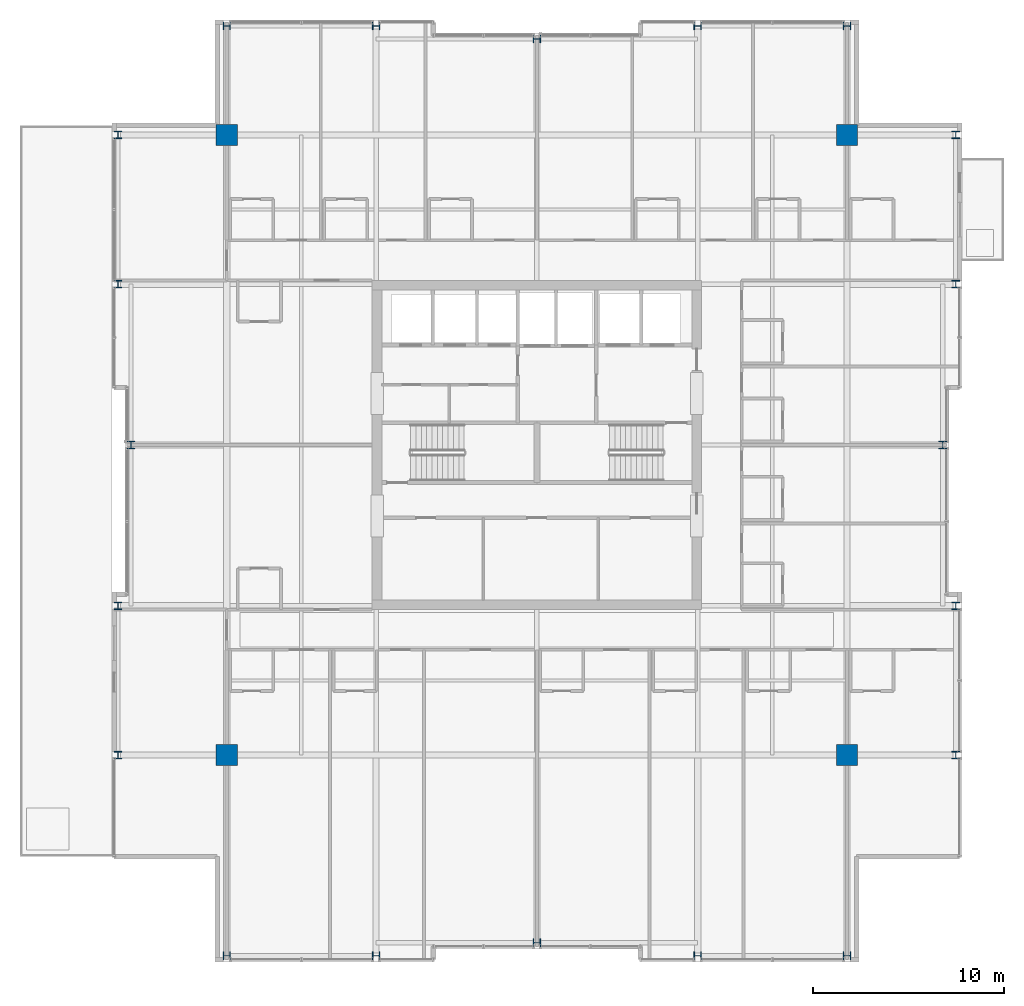
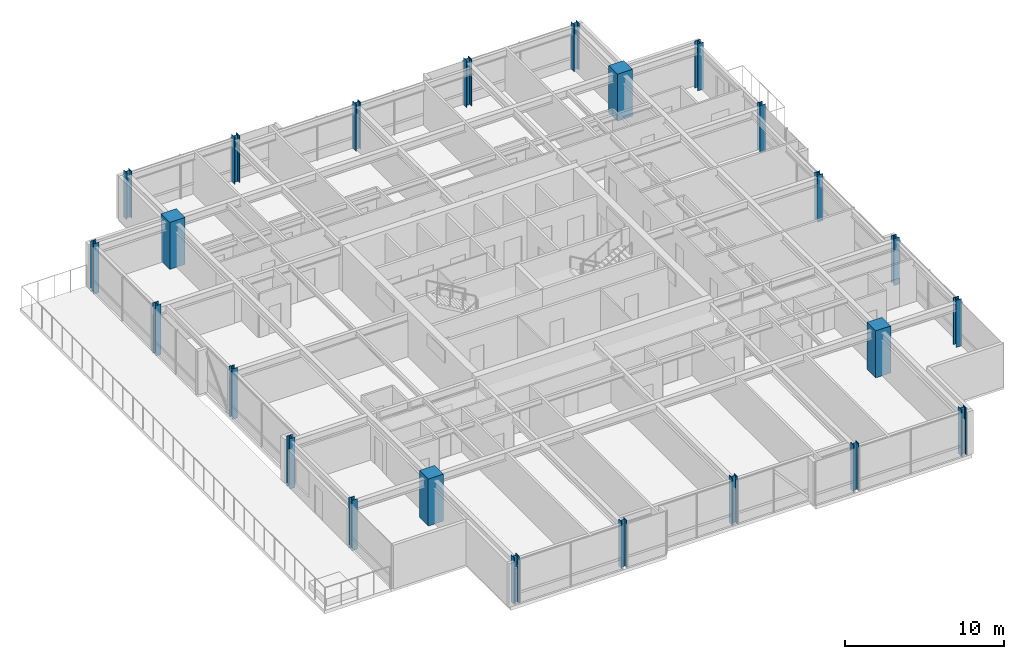
# One storey, part 1 of 32: 24 columns.
"""IFC4 building model written with IfcOpenShell, lengths in metres."""

from ifc_helpers import new_model, si_unit, direction, frame, origin, origin_2d, place, context, subcontext, project, spatial, rectangle, i_section, extrude, material, material_profile, profile_set, type_object, element, save


model = new_model("IFC4")

# Units and contexts
model_context = context("Model", 3, precision=1e-05, world=origin(), true_north=direction((0.0, 1.0)))
body_context = subcontext(model_context, "Body", "Model", "MODEL_VIEW")
ifc_project = project(units=[si_unit("LENGTHUNIT", "METRE"), si_unit("AREAUNIT", "SQUARE_METRE"), si_unit("VOLUMEUNIT", "CUBIC_METRE"), si_unit("PLANEANGLEUNIT", "RADIAN"), si_unit("MASSUNIT", "GRAM", prefix="KILO")], contexts=[model_context])

# Site, building, storey
site_placement = place(None, origin())
site = spatial("IfcSite", under=ifc_project, at=site_placement, CompositionType="ELEMENT")
building_placement = place(site_placement, origin())
building = spatial("IfcBuilding", under=site, at=building_placement, Name="Drelvath Grand Hotel", CompositionType="ELEMENT")
storey_placement = place(building_placement, frame((0.0, 0.0, 205.10009765625)))
storey = spatial("IfcBuildingStorey", under=building, at=storey_placement, Name="L53", CompositionType="ELEMENT", Elevation=205.10009765625)

# Columns
ifc_material_1 = material(Name="Concrete f'c 55 MPa", Category="concrete")
ifc_material_profile_1 = material_profile(ifc_material_1, rectangle(XDim=1.10009765625, YDim=1.10009765625, at=origin_2d()), Name="MC1100X1100")
ifc_profile_set_1 = profile_set([ifc_material_profile_1], Name="Concrete f'c 55 MPa")
column_type_1 = type_object("IfcColumnType", Name="Composite Mega Column MC1100X1100", PredefinedType="COLUMN", material=ifc_profile_set_1)
for number, where, z_axis, x_axis, name in (
    (1, (-16.199951171875, 10.800048828125, 0.0), (0.0, 0.0, 1.0), (1.0, 0.0, 0.0), "L53 Composite Mega Column MC-SW"),
    (2, (16.199951171875, 10.800048828125, 0.0), (0.0, 0.0, 1.0), (1.0, 0.0, 0.0), "L53 Composite Mega Column MC-SE"),
    (3, (-16.199951171875, 43.199951171875, 0.0), (0.0, 0.0, 1.0), (1.0, 0.0, 0.0), "L53 Composite Mega Column MC-NW"),
    (4, (16.199951171875, 43.199951171875, 0.0), (0.0, 0.0, 1.0), (1.0, 0.0, 0.0), "L53 Composite Mega Column MC-NE"),
):
    element("IfcColumn", number, at=place(storey_placement, frame(where, z_axis=z_axis, x_axis=x_axis)), inside=storey, type_object=column_type_1, Name=name, PredefinedType="COLUMN", context=body_context, shape_type="SweptSolid", body=[
        extrude(rectangle(XDim=1.10009765625, YDim=1.10009765625, at=origin_2d()), origin(), (0.0, 0.0, 1.0), 3.599853515625),
    ])
ifc_material_2 = material(Name="Steel ASTM A913 Gr 65", Category="steel")
ifc_material_profile_2 = material_profile(ifc_material_2, i_section(OverallWidth=0.3974609375, OverallDepth=0.38671875, WebThickness=0.02099609375, FlangeThickness=0.033203125, FilletRadius=0.02490234375, at=origin_2d()), Name="W14X176")
ifc_profile_set_2 = profile_set([ifc_material_profile_2], Name="Steel ASTM A913 Gr 65")
column_type_2 = type_object("IfcColumnType", Name="Perimeter Steel Column W14X176", PredefinedType="COLUMN", material=ifc_profile_set_2)
column_1_placement = place(storey_placement, frame((-21.8798828125, 10.800048828125, -0.260009765625), z_axis=(0.0, 0.0, 1.0), x_axis=(1.0, 0.0, 0.0)))
element("IfcColumn", 5, at=column_1_placement, inside=storey, type_object=column_type_2, Name="L53 Structural Column TCW-C", PredefinedType="COLUMN", context=body_context, shape_type="SweptSolid", body=[
    extrude(i_section(OverallWidth=0.3974609375, OverallDepth=0.38671875, WebThickness=0.02099609375, FlangeThickness=0.033203125, FilletRadius=0.02490234375, at=origin_2d()), origin(), (0.0, 0.0, 1.0), 3.85693359375),
])
column_2_placement = place(storey_placement, frame((21.8798828125, 10.800048828125, 0.0), z_axis=(0.0, 0.0, 1.0), x_axis=(1.0, 0.0, 0.0)))
element("IfcColumn", 6, at=column_2_placement, inside=storey, type_object=column_type_2, Name="L53 Structural Column TCE-C", PredefinedType="COLUMN", context=body_context, shape_type="SweptSolid", body=[
    extrude(i_section(OverallWidth=0.3974609375, OverallDepth=0.38671875, WebThickness=0.02099609375, FlangeThickness=0.033203125, FilletRadius=0.02490234375, at=origin_2d()), origin(), (0.0, 0.0, 1.0), 3.596923828125),
])
column_3_placement = place(storey_placement, frame((-21.8798828125, 18.60009765625, -0.260009765625), z_axis=(0.0, 0.0, 1.0), x_axis=(1.0, 0.0, 0.0)))
element("IfcColumn", 7, at=column_3_placement, inside=storey, type_object=column_type_2, Name="L53 Structural Column TCW-D", PredefinedType="COLUMN", context=body_context, shape_type="SweptSolid", body=[
    extrude(i_section(OverallWidth=0.3974609375, OverallDepth=0.38671875, WebThickness=0.02099609375, FlangeThickness=0.033203125, FilletRadius=0.02490234375, at=origin_2d()), origin(), (0.0, 0.0, 1.0), 3.85693359375),
])
column_4_placement = place(storey_placement, frame((21.8798828125, 18.60009765625, 0.0), z_axis=(0.0, 0.0, 1.0), x_axis=(1.0, 0.0, 0.0)))
element("IfcColumn", 8, at=column_4_placement, inside=storey, type_object=column_type_2, Name="L53 Structural Column TCE-D", PredefinedType="COLUMN", context=body_context, shape_type="SweptSolid", body=[
    extrude(i_section(OverallWidth=0.3974609375, OverallDepth=0.38671875, WebThickness=0.02099609375, FlangeThickness=0.033203125, FilletRadius=0.02490234375, at=origin_2d()), origin(), (0.0, 0.0, 1.0), 3.596923828125),
])
column_5_placement = place(storey_placement, frame((-21.199951171875, 27.0, -0.260009765625), z_axis=(0.0, 0.0, 1.0), x_axis=(1.0, 0.0, 0.0)))
element("IfcColumn", 9, at=column_5_placement, inside=storey, type_object=column_type_2, Name="L53 Structural Column TCW-E", PredefinedType="COLUMN", context=body_context, shape_type="SweptSolid", body=[
    extrude(i_section(OverallWidth=0.3974609375, OverallDepth=0.38671875, WebThickness=0.02099609375, FlangeThickness=0.033203125, FilletRadius=0.02490234375, at=origin_2d()), origin(), (0.0, 0.0, 1.0), 3.85693359375),
])
column_6_placement = place(storey_placement, frame((21.199951171875, 27.0, 0.0), z_axis=(0.0, 0.0, 1.0), x_axis=(1.0, 0.0, 0.0)))
element("IfcColumn", 10, at=column_6_placement, inside=storey, type_object=column_type_2, Name="L53 Structural Column TCE-E", PredefinedType="COLUMN", context=body_context, shape_type="SweptSolid", body=[
    extrude(i_section(OverallWidth=0.3974609375, OverallDepth=0.38671875, WebThickness=0.02099609375, FlangeThickness=0.033203125, FilletRadius=0.02490234375, at=origin_2d()), origin(), (0.0, 0.0, 1.0), 3.596923828125),
])
column_7_placement = place(storey_placement, frame((-21.8798828125, 35.39990234375, -0.260009765625), z_axis=(0.0, 0.0, 1.0), x_axis=(1.0, 0.0, 0.0)))
element("IfcColumn", 11, at=column_7_placement, inside=storey, type_object=column_type_2, Name="L53 Structural Column TCW-F", PredefinedType="COLUMN", context=body_context, shape_type="SweptSolid", body=[
    extrude(i_section(OverallWidth=0.3974609375, OverallDepth=0.38671875, WebThickness=0.02099609375, FlangeThickness=0.033203125, FilletRadius=0.02490234375, at=origin_2d()), origin(), (0.0, 0.0, 1.0), 3.85693359375),
])
column_8_placement = place(storey_placement, frame((21.8798828125, 35.39990234375, 0.0), z_axis=(0.0, 0.0, 1.0), x_axis=(1.0, 0.0, 0.0)))
element("IfcColumn", 12, at=column_8_placement, inside=storey, type_object=column_type_2, Name="L53 Structural Column TCE-F", PredefinedType="COLUMN", context=body_context, shape_type="SweptSolid", body=[
    extrude(i_section(OverallWidth=0.3974609375, OverallDepth=0.38671875, WebThickness=0.02099609375, FlangeThickness=0.033203125, FilletRadius=0.02490234375, at=origin_2d()), origin(), (0.0, 0.0, 1.0), 3.596923828125),
])
column_9_placement = place(storey_placement, frame((-21.8798828125, 43.199951171875, -0.260009765625), z_axis=(0.0, 0.0, 1.0), x_axis=(1.0, 0.0, 0.0)))
element("IfcColumn", 13, at=column_9_placement, inside=storey, type_object=column_type_2, Name="L53 Structural Column TCW-G", PredefinedType="COLUMN", context=body_context, shape_type="SweptSolid", body=[
    extrude(i_section(OverallWidth=0.3974609375, OverallDepth=0.38671875, WebThickness=0.02099609375, FlangeThickness=0.033203125, FilletRadius=0.02490234375, at=origin_2d()), origin(), (0.0, 0.0, 1.0), 3.85693359375),
])
for number, where, z_axis, x_axis, name in (
    (14, (21.8798828125, 43.199951171875, 0.0), (0.0, 0.0, 1.0), (1.0, 0.0, 0.0), "L53 Structural Column TCE-G"),
    (15, (-16.199951171875, 0.320068359375, 0.0), (0.0, 0.0, 1.0), (0.0, 1.0, 0.0), "L53 Structural Column TCS-3"),
    (16, (-16.199951171875, 48.8798828125, 0.0), (0.0, 0.0, 1.0), (0.0, 1.0, 0.0), "L53 Structural Column TCN-3"),
    (17, (-8.39990234375, 0.320068359375, 0.0), (0.0, 0.0, 1.0), (0.0, 1.0, 0.0), "L53 Structural Column TCS-4"),
    (18, (-8.39990234375, 48.8798828125, 0.0), (0.0, 0.0, 1.0), (0.0, 1.0, 0.0), "L53 Structural Column TCN-4"),
    (19, (0.0, 1.0, 0.0), (0.0, 0.0, 1.0), (0.0, 1.0, 0.0), "L53 Structural Column TCS-5"),
    (20, (0.0, 48.199951171875, 0.0), (0.0, 0.0, 1.0), (0.0, 1.0, 0.0), "L53 Structural Column TCN-5"),
    (21, (8.39990234375, 0.320068359375, 0.0), (0.0, 0.0, 1.0), (0.0, 1.0, 0.0), "L53 Structural Column TCS-6"),
    (22, (8.39990234375, 48.8798828125, 0.0), (0.0, 0.0, 1.0), (0.0, 1.0, 0.0), "L53 Structural Column TCN-6"),
    (23, (16.199951171875, 0.320068359375, 0.0), (0.0, 0.0, 1.0), (0.0, 1.0, 0.0), "L53 Structural Column TCS-7"),
    (24, (16.199951171875, 48.8798828125, 0.0), (0.0, 0.0, 1.0), (0.0, 1.0, 0.0), "L53 Structural Column TCN-7"),
):
    element("IfcColumn", number, at=place(storey_placement, frame(where, z_axis=z_axis, x_axis=x_axis)), inside=storey, type_object=column_type_2, Name=name, PredefinedType="COLUMN", context=body_context, shape_type="SweptSolid", body=[
        extrude(i_section(OverallWidth=0.3974609375, OverallDepth=0.38671875, WebThickness=0.02099609375, FlangeThickness=0.033203125, FilletRadius=0.02490234375, at=origin_2d()), origin(), (0.0, 0.0, 1.0), 3.596923828125),
    ])

save(model, "model.ifc")
